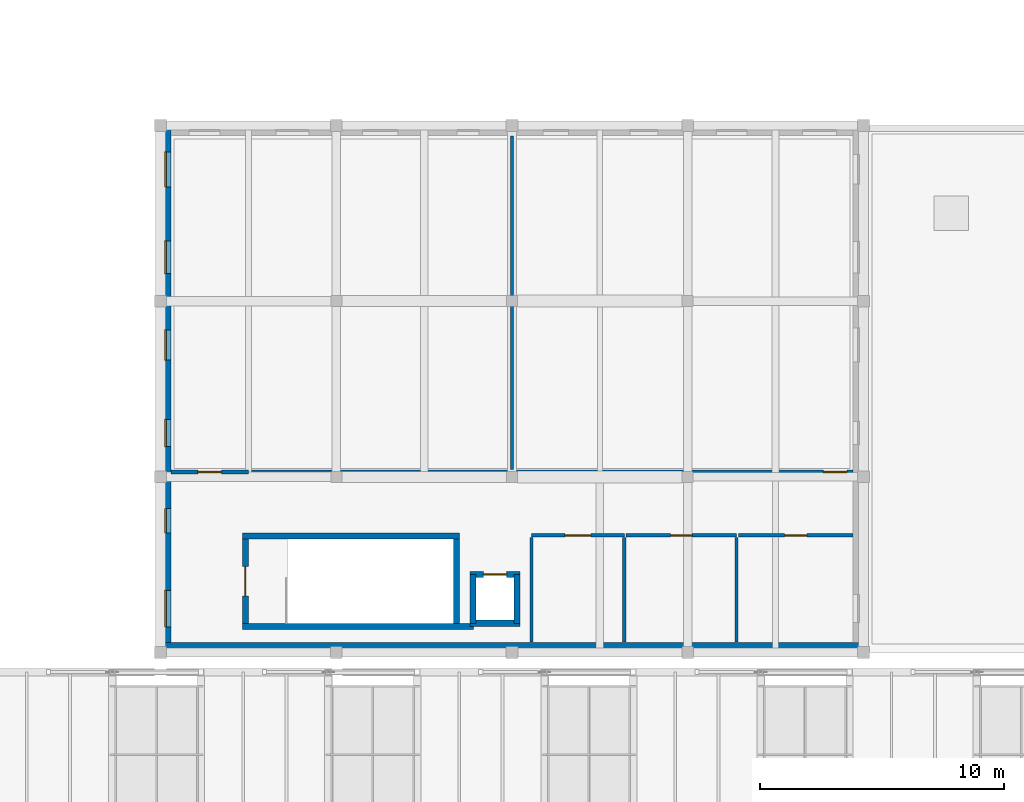
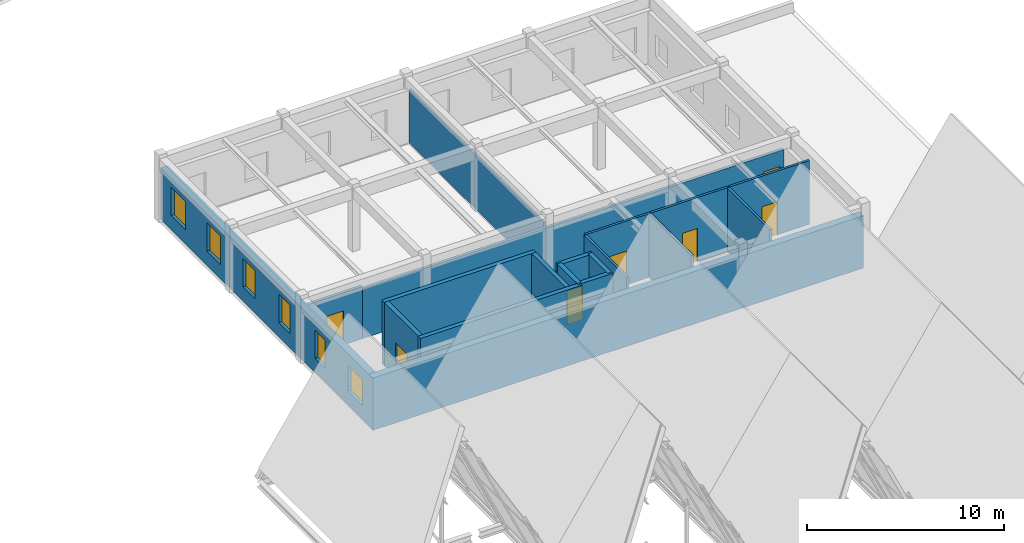
# One storey, part 88 of 99: 19 walls, 7 doors, 6 windows, 13 openings.
"""IFC4 building model written with IfcOpenShell, lengths in metres."""

import ifcopenshell
import ifcopenshell.guid

model = None  # the IFC model being written
_history = None  # IfcOwnerHistory: only IFC2X3 demands one
_inside = {}  # id of a spatial element -> (the spatial element, [elements in it])
_under = {}  # id of a project, library or spatial element -> (it, [spatial elements below it])
_declared = {}  # id of a project -> (the project, [libraries it declares])
_typed = {}  # id of a type object -> (the type object, [elements of that type])
_made_of = {}  # id of a material, layer set ... -> (it, [elements and type objects made of it])


def new_model(schema):
    """Start an empty IFC model of exactly this schema.

    Asked for "IFC4X3", IfcOpenShell would pick the latest addendum, in which some entities
    have other attributes; the version numbers below select the first issue.
    IFC2X3 requires an IfcOwnerHistory on every rooted entity: one is made here for all.
    """
    global model, _history
    if schema == "IFC4X3":
        model = ifcopenshell.file(schema_version=(4, 3, 0, 0))
    else:
        model = ifcopenshell.file(schema=schema)
    _inside.clear()
    _under.clear()
    _declared.clear()
    _typed.clear()
    _made_of.clear()
    _history = None
    if model.schema == "IFC2X3":
        org = make("IfcOrganization", Name="unknown")
        user = make(
            "IfcPersonAndOrganization",
            ThePerson=make("IfcPerson", FamilyName="unknown"),
            TheOrganization=org,
        )
        app = make(
            "IfcApplication",
            ApplicationDeveloper=org,
            Version="unknown",
            ApplicationFullName="unknown",
            ApplicationIdentifier="unknown",
        )
        _history = make(
            "IfcOwnerHistory",
            OwningUser=user,
            OwningApplication=app,
            ChangeAction="ADDED",
            CreationDate=0,
        )
    return model


def make(cls, **values):
    """One entity of the class cls with the attributes given. An attribute that is None is left unset."""
    return model.create_entity(
        cls, **{name: value for name, value in values.items() if value is not None}
    )


def rooted(cls, **values):
    """An entity with a GlobalId (a new one), such as an element, a storey or a relation."""
    return make(cls, GlobalId=ifcopenshell.guid.new(), OwnerHistory=_history, **values)


def si_unit(unit_type, name, prefix=None):
    """IfcSIUnit, for example si_unit("LENGTHUNIT", "METRE", prefix="MILLI")."""
    return make("IfcSIUnit", UnitType=unit_type, Prefix=prefix, Name=name)


def assignment(units):
    """IfcUnitAssignment: the units of a project."""
    return None if units is None else make("IfcUnitAssignment", Units=units)


def point(xyz):
    """IfcCartesianPoint."""
    return None if xyz is None else make("IfcCartesianPoint", Coordinates=xyz)


def direction(xyz):
    """IfcDirection."""
    return None if xyz is None else make("IfcDirection", DirectionRatios=xyz)


def frame(location, z_axis=None, x_axis=None):
    """IfcAxis2Placement3D, a coordinate frame: its origin and axes. An axis left out is left unset."""
    return make(
        "IfcAxis2Placement3D",
        Location=point(location),
        Axis=direction(z_axis),
        RefDirection=direction(x_axis),
    )


def frame_2d(location, x_axis=None):
    """IfcAxis2Placement2D, a coordinate frame in the plane: its origin and x axis."""
    return make(
        "IfcAxis2Placement2D", Location=point(location), RefDirection=direction(x_axis)
    )


def origin():
    """The frame at (0, 0, 0) with its axes left unset."""
    return frame((0.0, 0.0, 0.0))


def place(relative_to, where):
    """IfcLocalPlacement: puts the frame where relative to a parent placement (None: the world)."""
    return make(
        "IfcLocalPlacement", PlacementRelTo=relative_to, RelativePlacement=where
    )


def context(
    kind, dimensions, precision=None, world=None, true_north=None, identifier=None
):
    """IfcGeometricRepresentationContext, for example the 3D "Model" context."""
    return make(
        "IfcGeometricRepresentationContext",
        ContextIdentifier=identifier,
        ContextType=kind,
        CoordinateSpaceDimension=dimensions,
        Precision=precision,
        WorldCoordinateSystem=world,
        TrueNorth=true_north,
    )


def subcontext(parent, identifier, kind, view, scale=None):
    """IfcGeometricRepresentationSubContext, for example "Body" below "Model"."""
    return make(
        "IfcGeometricRepresentationSubContext",
        ContextIdentifier=identifier,
        ContextType=kind,
        ParentContext=parent,
        TargetScale=scale,
        TargetView=view,
    )


def project(units=None, contexts=None):
    """IfcProject with its units and contexts."""
    return rooted(
        "IfcProject",
        Name="project",
        RepresentationContexts=contexts,
        UnitsInContext=assignment(units),
    )


def spatial(cls, under=None, at=None, **own):
    """A site, building, storey or space (cls), placed at a placement, below another one or the project."""
    s = rooted(cls, ObjectPlacement=at, **own)
    if under is not None:
        _under.setdefault(under.id(), (under, []))[1].append(s)
    return s


def profile(cls, at=None, kind="AREA", **sizes):
    """A parametric profile (cls). Its sizes go by their IFC names, for example OverallWidth=200.0."""
    return make(cls, ProfileType=kind, Position=at, **sizes)


def rectangle(**sizes):
    """IfcRectangleProfileDef."""
    return profile("IfcRectangleProfileDef", **sizes)


def extrude(swept, where, along, depth):
    """IfcExtrudedAreaSolid: the profile swept, set in the frame where, extruded along a direction by depth."""
    return make(
        "IfcExtrudedAreaSolid",
        SweptArea=swept,
        Position=where,
        ExtrudedDirection=direction(along),
        Depth=depth,
    )


def shape(context_of_items, identifier, shape_type, items):
    """IfcShapeRepresentation: the items that make up one representation, for example the "Body"."""
    return make(
        "IfcShapeRepresentation",
        ContextOfItems=context_of_items,
        RepresentationIdentifier=identifier,
        RepresentationType=shape_type,
        Items=items,
    )


def material(Name=None, Category=None):
    """IfcMaterial."""
    return make("IfcMaterial", Name=Name, Category=Category)


def layer(
    of_material, thickness, ventilated=None, Name=None, Category=None, Priority=None
):
    """IfcMaterialLayer: one layer of a wall or slab, of a material (None: an air gap)."""
    return make(
        "IfcMaterialLayer",
        Material=of_material,
        LayerThickness=thickness,
        IsVentilated=ventilated,
        Name=Name,
        Category=Category,
        Priority=Priority,
    )


def layer_set(layers, Name=None):
    """IfcMaterialLayerSet."""
    return make("IfcMaterialLayerSet", MaterialLayers=layers, LayerSetName=Name)


def made_of(thing, what):
    """Note that an element or type object is made of a material, layer set ...; save() writes the relation."""
    if what is not None:
        _made_of.setdefault(what.id(), (what, []))[1].append(thing)
    return thing


def type_object(cls, material=None, **own):
    """A type object (cls), such as IfcWallType, which elements share."""
    return made_of(rooted(cls, **own), material)


def element(
    cls,
    number,
    at=None,
    inside=None,
    cuts=None,
    type_object=None,
    material=None,
    context=None,
    identifier="Body",
    shape_type=None,
    held_by="IfcProductDefinitionShape",
    body=None,
    shapes=None,
    **own,
):
    """One element of the class cls, such as IfcWall. Its Tag is "e" and its number.

    at: its placement. inside: the storey or other place that contains it. cuts: it is an
    opening in that element (IfcRelVoidsElement). A single representation is given by context,
    identifier, shape_type and body (its items); several are given by shapes. held_by: the class
    of the entity that holds the representations. save() writes the other relations.
    """
    e = rooted(cls, Tag="e%d" % number, ObjectPlacement=at, **own)
    if body is not None:
        shapes = [shape(context, identifier, shape_type, body)]
    if shapes is not None:
        e.Representation = make(held_by, Representations=shapes)
    if inside is not None:
        _inside.setdefault(inside.id(), (inside, []))[1].append(e)
    if cuts is not None:
        rooted(
            "IfcRelVoidsElement", RelatingBuildingElement=cuts, RelatedOpeningElement=e
        )
    if type_object is not None:
        _typed.setdefault(type_object.id(), (type_object, []))[1].append(e)
    return made_of(e, material)


def fill(opening, filler):
    """IfcRelFillsElement: the door or window that sits in an opening."""
    return rooted(
        "IfcRelFillsElement",
        RelatingOpeningElement=opening,
        RelatedBuildingElement=filler,
    )


def aggregate(whole, parts):
    """IfcRelAggregates: a whole, such as a stair, and the parts it consists of."""
    return rooted("IfcRelAggregates", RelatingObject=whole, RelatedObjects=parts)


def save(model, path):
    """Write the relations noted so far, then the file.

    IfcRelAggregates (storeys below a building ...), IfcRelContainedInSpatialStructure (elements
    in a storey), IfcRelDefinesByType, IfcRelAssociatesMaterial and IfcRelDeclares: one each for
    every whole, place, type object, material and project.
    """
    for whole, parts in _under.values():
        aggregate(whole, parts)
    for where, things in _inside.values():
        rooted(
            "IfcRelContainedInSpatialStructure",
            RelatedElements=things,
            RelatingStructure=where,
        )
    for kind, things in _typed.values():
        rooted("IfcRelDefinesByType", RelatedObjects=things, RelatingType=kind)
    for what, things in _made_of.values():
        rooted("IfcRelAssociatesMaterial", RelatedObjects=things, RelatingMaterial=what)
    for by, libraries in _declared.values():
        rooted("IfcRelDeclares", RelatingContext=by, RelatedDefinitions=libraries)
    model.write(path)


model = new_model("IFC4")

# Units and contexts
model_context = context("Model", 3, precision=1e-05, world=origin(), true_north=direction((0.0, 1.0)))
body_context = subcontext(model_context, "Body", "Model", "MODEL_VIEW")
ifc_project = project(units=[si_unit("LENGTHUNIT", "METRE"), si_unit("AREAUNIT", "SQUARE_METRE"), si_unit("VOLUMEUNIT", "CUBIC_METRE"), si_unit("PLANEANGLEUNIT", "RADIAN"), si_unit("MASSUNIT", "GRAM", prefix="KILO")], contexts=[model_context])

# Site, building, storey
site_placement = place(None, origin())
site = spatial("IfcSite", under=ifc_project, at=site_placement, CompositionType="ELEMENT")
building_placement = place(site_placement, origin())
building = spatial("IfcBuilding", under=site, at=building_placement, Name="Bramveld Media Centre", CompositionType="ELEMENT")
storey_placement = place(building_placement, frame((0.0, 0.0, 13.800048828125)))
storey = spatial("IfcBuildingStorey", under=building, at=storey_placement, Name="L03", CompositionType="ELEMENT", Elevation=13.800048828125)

# Walls
ifc_material_1 = material(Name="Concrete C40/50 stair & lift core wall", Category="concrete")
ifc_layer_1 = layer(ifc_material_1, 0.25)
ifc_layer_set_1 = layer_set([ifc_layer_1], Name="Concrete C40/50 stair & lift core wall")
wall_type_1 = type_object("IfcWallType", Name="CWALL-SHEAR-250", PredefinedType="SHEAR", material=ifc_layer_set_1)
wall_1_placement = place(storey_placement, frame((134.550048828125, 40.27490234375, 0.0), z_axis=(0.0, 0.0, 1.0), x_axis=(1.0, 0.0, 0.0)))
element("IfcWall", 1, at=wall_1_placement, inside=storey, type_object=wall_type_1, Name="ST-08 L03 stair core shear wall S", PredefinedType="SHEAR", context=body_context, shape_type="SweptSolid", body=[
    extrude(rectangle(XDim=9.469970703125, YDim=0.25, at=frame_2d((4.73486328125, 0.0))), origin(), (0.0, 0.0, 1.0), 3.9599609375),
])
wall_2_placement = place(storey_placement, frame((143.449951171875, 43.97509765625, 0.0), z_axis=(0.0, 0.0, 1.0), x_axis=(-1.0, 0.0, 0.0)))
element("IfcWall", 2, at=wall_2_placement, inside=storey, type_object=wall_type_1, Name="ST-08 L03 stair core shear wall N", PredefinedType="SHEAR", context=body_context, shape_type="SweptSolid", body=[
    extrude(rectangle(XDim=8.89990234375, YDim=0.25, at=frame_2d((4.449951171875, 0.0))), origin(), (0.0, 0.0, 1.0), 3.9599609375),
])

# Wall, opening, door
wall_3_placement = place(storey_placement, frame((134.675048828125, 43.85009765625, 0.0), z_axis=(0.0, 0.0, 1.0), x_axis=(0.0, -1.0, 0.0)))
wall_3 = element("IfcWall", 3, at=wall_3_placement, inside=storey, type_object=wall_type_1, Name="ST-08 L03 stair core shear wall W", PredefinedType="SHEAR", context=body_context, shape_type="SweptSolid", body=[
    extrude(rectangle(XDim=3.4501953125, YDim=0.25, at=frame_2d((1.72509765625, 0.0))), origin(), (0.0, 0.0, 1.0), 3.9599609375),
])
opening_1_placement = place(wall_3_placement, frame((1.125, 0.0, 0.0)))
opening_1 = element("IfcOpeningElement", 4, at=opening_1_placement, cuts=wall_3, Name="Opening SD-08-L03", PredefinedType="OPENING", context=body_context, shape_type="SweptSolid", body=[
    extrude(rectangle(XDim=1.199951171875, YDim=2.14990234375, at=frame_2d((0.60009765625, 1.074951171875))), frame((0.0, 0.136962890625, 0.0), z_axis=(0.0, -1.0, 0.0), x_axis=(1.0, 0.0, 0.0)), (0.0, 0.0, 1.0), 0.27392578125),
])
ifc_material_2 = material(Name="Painted galvanized steel acoustic fire door with intumescent smoke seals", Category="steel")
door_type_1 = type_object("IfcDoorType", Name="DR-ST-1200", OperationType="NOTDEFINED", PredefinedType="DOOR", material=ifc_material_2)
door_1_placement = place(opening_1_placement, origin())
door_1 = element("IfcDoor", 5, at=door_1_placement, inside=storey, type_object=door_type_1, Name="ST-08 L03 pressurized stair fire door", OperationType="SINGLE_SWING_RIGHT", OverallHeight=2.14990234375, OverallWidth=1.199951171875, PredefinedType="DOOR", context=body_context, shape_type="SweptSolid", body=[
    extrude(rectangle(XDim=1.199951171875, YDim=2.14990234375, at=frame_2d((0.60009765625, 1.074951171875))), frame((0.0, 0.02490234375, 0.0), z_axis=(0.0, -1.0, 0.0), x_axis=(1.0, 0.0, 0.0)), (0.0, 0.0, 1.0), 0.050048828125),
])
fill(opening_1, door_1)

# Walls
wall_4_placement = place(storey_placement, frame((143.324951171875, 40.39990234375, 0.0), z_axis=(0.0, 0.0, 1.0), x_axis=(0.0, 1.0, 0.0)))
element("IfcWall", 6, at=wall_4_placement, inside=storey, type_object=wall_type_1, Name="ST-08 L03 stair core shear wall E", PredefinedType="SHEAR", context=body_context, shape_type="SweptSolid", body=[
    extrude(rectangle(XDim=3.4501953125, YDim=0.25, at=frame_2d((1.72509765625, 0.0))), origin(), (0.0, 0.0, 1.0), 3.9599609375),
])
wall_5_placement = place(storey_placement, frame((143.875, 40.39990234375, 0.0), z_axis=(0.0, 0.0, 1.0), x_axis=(1.0, 0.0, 0.0)))
element("IfcWall", 7, at=wall_5_placement, inside=storey, type_object=wall_type_1, Name="PL-06 L03 lift shaft wall S", PredefinedType="SHEAR", context=body_context, shape_type="SweptSolid", body=[
    extrude(rectangle(XDim=2.050048828125, YDim=0.25, at=frame_2d((1.02490234375, 0.0))), origin(), (0.0, 0.0, 1.0), 3.9599609375),
])

# Wall, opening, door
wall_6_placement = place(storey_placement, frame((145.925048828125, 42.39990234375, 0.0), z_axis=(0.0, 0.0, 1.0), x_axis=(-1.0, 0.0, 0.0)))
wall_6 = element("IfcWall", 8, at=wall_6_placement, inside=storey, type_object=wall_type_1, Name="PL-06 L03 lift shaft wall N", PredefinedType="SHEAR", context=body_context, shape_type="SweptSolid", body=[
    extrude(rectangle(XDim=2.050048828125, YDim=0.25, at=frame_2d((1.02490234375, 0.0))), origin(), (0.0, 0.0, 1.0), 3.9599609375),
])
opening_2_placement = place(wall_6_placement, frame((0.550048828125, 0.0, 0.0)))
opening_2 = element("IfcOpeningElement", 9, at=opening_2_placement, cuts=wall_6, Name="Opening LD-03-06-L03", PredefinedType="OPENING", context=body_context, shape_type="SweptSolid", body=[
    extrude(rectangle(XDim=0.949951171875, YDim=2.10009765625, at=frame_2d((0.47509765625, 1.050048828125))), frame((0.0, 0.136962890625, 0.0), z_axis=(0.0, -1.0, 0.0), x_axis=(1.0, 0.0, 0.0)), (0.0, 0.0, 1.0), 0.27392578125),
])
ifc_material_3 = material(Name="Brushed stainless steel automatic fire-rated sliding lift landing door", Category="steel")
door_type_2 = type_object("IfcDoorType", Name="LD-TYPE-03", OperationType="SLIDING_TO_LEFT", PredefinedType="DOOR", material=ifc_material_3)
door_2_placement = place(opening_2_placement, origin())
door_2 = element("IfcDoor", 10, at=door_2_placement, inside=storey, type_object=door_type_2, Name="PL-06 L03 sliding lift landing door", OperationType="SLIDING_TO_LEFT", OverallHeight=2.10009765625, OverallWidth=0.949951171875, PredefinedType="DOOR", context=body_context, shape_type="SweptSolid", body=[
    extrude(rectangle(XDim=0.949951171875, YDim=2.10009765625, at=frame_2d((0.47509765625, 1.050048828125))), frame((0.0, 0.02490234375, 0.0), z_axis=(0.0, -1.0, 0.0), x_axis=(1.0, 0.0, 0.0)), (0.0, 0.0, 1.0), 0.050048828125),
])
fill(opening_2, door_2)

# Walls
for number, where, z_axis, x_axis, name in (
    (11, (144.0, 42.39990234375, 0.0), (0.0, 0.0, 1.0), (0.0, -1.0, 0.0), "PL-06 L03 lift shaft wall W"),
    (12, (145.800048828125, 40.39990234375, 0.0), (0.0, 0.0, 1.0), (0.0, 1.0, 0.0), "PL-06 L03 lift shaft wall E"),
):
    element("IfcWall", number, at=place(storey_placement, frame(where, z_axis=z_axis, x_axis=x_axis)), inside=storey, type_object=wall_type_1, Name=name, PredefinedType="SHEAR", context=body_context, shape_type="SweptSolid", body=[
        extrude(rectangle(XDim=2.0, YDim=0.25, at=frame_2d((1.0, 0.0))), origin(), (0.0, 0.0, 1.0), 3.9599609375),
    ])
ifc_material_4 = material(Name="Flemish red-brown clay facing brick cavity wall with concrete C35/45 inner leaf", Category="masonry")
ifc_layer_2 = layer(ifc_material_4, 0.419921875)
ifc_layer_set_2 = layer_set([ifc_layer_2], Name="Flemish red-brown clay facing brick cavity wall with concrete C35/45 inner leaf")
wall_type_2 = type_object("IfcWallType", Name="EW-BRK-420", PredefinedType="SOLIDWALL", material=ifc_layer_set_2)
wall_7_placement = place(storey_placement, frame((160.0, 39.409912109375, 0.0), z_axis=(0.0, 0.0, 1.0), x_axis=(-1.0, 0.0, 0.0)))
element("IfcWall", 13, at=wall_7_placement, inside=storey, type_object=wall_type_2, Name="V4 L03 S facing brick exterior wall", PredefinedType="SOLIDWALL", context=body_context, shape_type="SweptSolid", body=[
    extrude(rectangle(XDim=28.800048828125, YDim=0.419921875, at=frame_2d((14.39990234375, 0.0))), origin(), (0.0, 0.0, 1.0), 3.2548828125),
])

# Wall, openings, windows
wall_8_placement = place(storey_placement, frame((131.409912109375, 39.199951171875, 0.0), z_axis=(0.0, 0.0, 1.0), x_axis=(0.0, 1.0, 0.0)))
wall_8 = element("IfcWall", 14, at=wall_8_placement, inside=storey, type_object=wall_type_2, Name="V4 L03 W facing brick exterior wall", PredefinedType="SOLIDWALL", context=body_context, shape_type="SweptSolid", body=[
    extrude(rectangle(XDim=21.60009765625, YDim=0.419921875, at=frame_2d((10.800048828125, 0.0))), origin(), (0.0, 0.0, 1.0), 3.21484375),
])
opening_3_placement = place(wall_8_placement, frame((1.050048828125, 0.0, 0.89990234375)))
opening_3 = element("IfcOpeningElement", 15, at=opening_3_placement, cuts=wall_8, Name="Opening W-18", PredefinedType="OPENING", context=body_context, shape_type="SweptSolid", body=[
    extrude(rectangle(XDim=1.5, YDim=1.60009765625, at=frame_2d((0.75, 0.800048828125))), frame((0.0, 0.221923828125, 0.0), z_axis=(0.0, -1.0, 0.0), x_axis=(1.0, 0.0, 0.0)), (0.0, 0.0, 1.0), 0.44384765625),
])
opening_4_placement = place(wall_8_placement, frame((4.89990234375, 0.0, 0.89990234375)))
opening_4 = element("IfcOpeningElement", 16, at=opening_4_placement, cuts=wall_8, Name="Opening W-19", PredefinedType="OPENING", context=body_context, shape_type="SweptSolid", body=[
    extrude(rectangle(XDim=1.0, YDim=1.75, at=frame_2d((0.5, 0.875))), frame((0.0, 0.221923828125, 0.0), z_axis=(0.0, -1.0, 0.0), x_axis=(1.0, 0.0, 0.0)), (0.0, 0.0, 1.0), 0.44384765625),
])
opening_5_placement = place(wall_8_placement, frame((8.43994140625, 0.0, 0.89990234375)))
opening_5 = element("IfcOpeningElement", 17, at=opening_5_placement, cuts=wall_8, Name="Opening W-20", PredefinedType="OPENING", context=body_context, shape_type="SweptSolid", body=[
    extrude(rectangle(XDim=1.1201171875, YDim=1.75, at=frame_2d((0.56005859375, 0.875))), frame((0.0, 0.221923828125, 0.0), z_axis=(0.0, -1.0, 0.0), x_axis=(1.0, 0.0, 0.0)), (0.0, 0.0, 1.0), 0.44384765625),
])
opening_6_placement = place(wall_8_placement, frame((11.97998046875, 0.0, 0.89990234375)))
opening_6 = element("IfcOpeningElement", 18, at=opening_6_placement, cuts=wall_8, Name="Opening W-21", PredefinedType="OPENING", context=body_context, shape_type="SweptSolid", body=[
    extrude(rectangle(XDim=1.239990234375, YDim=1.75, at=frame_2d((0.6201171875, 0.875))), frame((0.0, 0.221923828125, 0.0), z_axis=(0.0, -1.0, 0.0), x_axis=(1.0, 0.0, 0.0)), (0.0, 0.0, 1.0), 0.44384765625),
])
opening_7_placement = place(wall_8_placement, frame((15.530029296875, 0.0, 0.89990234375)))
opening_7 = element("IfcOpeningElement", 19, at=opening_7_placement, cuts=wall_8, Name="Opening W-22", PredefinedType="OPENING", context=body_context, shape_type="SweptSolid", body=[
    extrude(rectangle(XDim=1.340087890625, YDim=1.75, at=frame_2d((0.669921875, 0.875))), frame((0.0, 0.221923828125, 0.0), z_axis=(0.0, -1.0, 0.0), x_axis=(1.0, 0.0, 0.0)), (0.0, 0.0, 1.0), 0.44384765625),
])
opening_8_placement = place(wall_8_placement, frame((19.080078125, 0.0, 0.89990234375)))
opening_8 = element("IfcOpeningElement", 20, at=opening_8_placement, cuts=wall_8, Name="Opening W-23", PredefinedType="OPENING", context=body_context, shape_type="SweptSolid", body=[
    extrude(rectangle(XDim=1.43994140625, YDim=1.75, at=frame_2d((0.719970703125, 0.875))), frame((0.0, 0.221923828125, 0.0), z_axis=(0.0, -1.0, 0.0), x_axis=(1.0, 0.0, 0.0)), (0.0, 0.0, 1.0), 0.44384765625),
])
ifc_material_5 = material(Name="Thermally broken anodized bronze aluminium frame with triple acoustic glazing", Category="aluminium")
window_type_1 = type_object("IfcWindowType", Name="WIN-FAC-18", PartitioningType="SINGLE_PANEL", PredefinedType="WINDOW", material=ifc_material_5)
window_1_placement = place(opening_3_placement, origin())
window_1 = element("IfcWindow", 21, at=window_1_placement, inside=storey, type_object=window_type_1, Name="V4 L03 W acoustic facade window", OverallHeight=1.60009765625, OverallWidth=1.5, PartitioningType="SINGLE_PANEL", PredefinedType="WINDOW", context=body_context, shape_type="SweptSolid", body=[
    extrude(rectangle(XDim=1.5, YDim=1.60009765625, at=frame_2d((0.75, 0.800048828125))), frame((0.0, 0.030029296875, 0.0), z_axis=(0.0, -1.0, 0.0), x_axis=(1.0, 0.0, 0.0)), (0.0, 0.0, 1.0), 0.06005859375),
])
fill(opening_3, window_1)
ifc_material_6 = material(Name="Thermally broken anodized bronze aluminium frame with triple acoustic glazing", Category="aluminium")
window_type_2 = type_object("IfcWindowType", Name="WIN-FAC-19", PartitioningType="SINGLE_PANEL", PredefinedType="WINDOW", material=ifc_material_6)
window_2_placement = place(opening_4_placement, origin())
window_2 = element("IfcWindow", 22, at=window_2_placement, inside=storey, type_object=window_type_2, Name="V4 L03 W acoustic facade window", OverallHeight=1.75, OverallWidth=1.0, PartitioningType="SINGLE_PANEL", PredefinedType="WINDOW", context=body_context, shape_type="SweptSolid", body=[
    extrude(rectangle(XDim=1.0, YDim=1.75, at=frame_2d((0.5, 0.875))), frame((0.0, 0.030029296875, 0.0), z_axis=(0.0, -1.0, 0.0), x_axis=(1.0, 0.0, 0.0)), (0.0, 0.0, 1.0), 0.06005859375),
])
fill(opening_4, window_2)
ifc_material_7 = material(Name="Thermally broken anodized bronze aluminium frame with triple acoustic glazing", Category="aluminium")
window_type_3 = type_object("IfcWindowType", Name="WIN-FAC-20", PartitioningType="SINGLE_PANEL", PredefinedType="WINDOW", material=ifc_material_7)
window_3_placement = place(opening_5_placement, origin())
window_3 = element("IfcWindow", 23, at=window_3_placement, inside=storey, type_object=window_type_3, Name="V4 L03 W acoustic facade window", OverallHeight=1.75, OverallWidth=1.1201171875, PartitioningType="SINGLE_PANEL", PredefinedType="WINDOW", context=body_context, shape_type="SweptSolid", body=[
    extrude(rectangle(XDim=1.1201171875, YDim=1.75, at=frame_2d((0.56005859375, 0.875))), frame((0.0, 0.030029296875, 0.0), z_axis=(0.0, -1.0, 0.0), x_axis=(1.0, 0.0, 0.0)), (0.0, 0.0, 1.0), 0.06005859375),
])
fill(opening_5, window_3)
ifc_material_8 = material(Name="Thermally broken anodized bronze aluminium frame with triple acoustic glazing", Category="aluminium")
window_type_4 = type_object("IfcWindowType", Name="WIN-FAC-21", PartitioningType="SINGLE_PANEL", PredefinedType="WINDOW", material=ifc_material_8)
window_4_placement = place(opening_6_placement, origin())
window_4 = element("IfcWindow", 24, at=window_4_placement, inside=storey, type_object=window_type_4, Name="V4 L03 W acoustic facade window", OverallHeight=1.75, OverallWidth=1.239990234375, PartitioningType="SINGLE_PANEL", PredefinedType="WINDOW", context=body_context, shape_type="SweptSolid", body=[
    extrude(rectangle(XDim=1.239990234375, YDim=1.75, at=frame_2d((0.6201171875, 0.875))), frame((0.0, 0.030029296875, 0.0), z_axis=(0.0, -1.0, 0.0), x_axis=(1.0, 0.0, 0.0)), (0.0, 0.0, 1.0), 0.06005859375),
])
fill(opening_6, window_4)
ifc_material_9 = material(Name="Thermally broken anodized bronze aluminium frame with triple acoustic glazing", Category="aluminium")
window_type_5 = type_object("IfcWindowType", Name="WIN-FAC-22", PartitioningType="SINGLE_PANEL", PredefinedType="WINDOW", material=ifc_material_9)
window_5_placement = place(opening_7_placement, origin())
window_5 = element("IfcWindow", 25, at=window_5_placement, inside=storey, type_object=window_type_5, Name="V4 L03 W acoustic facade window", OverallHeight=1.75, OverallWidth=1.340087890625, PartitioningType="SINGLE_PANEL", PredefinedType="WINDOW", context=body_context, shape_type="SweptSolid", body=[
    extrude(rectangle(XDim=1.340087890625, YDim=1.75, at=frame_2d((0.669921875, 0.875))), frame((0.0, 0.030029296875, 0.0), z_axis=(0.0, -1.0, 0.0), x_axis=(1.0, 0.0, 0.0)), (0.0, 0.0, 1.0), 0.06005859375),
])
fill(opening_7, window_5)
ifc_material_10 = material(Name="Thermally broken anodized bronze aluminium frame with triple acoustic glazing", Category="aluminium")
window_type_6 = type_object("IfcWindowType", Name="WIN-FAC-23", PartitioningType="SINGLE_PANEL", PredefinedType="WINDOW", material=ifc_material_10)
window_6_placement = place(opening_8_placement, origin())
window_6 = element("IfcWindow", 26, at=window_6_placement, inside=storey, type_object=window_type_6, Name="V4 L03 W acoustic facade window", OverallHeight=1.75, OverallWidth=1.43994140625, PartitioningType="SINGLE_PANEL", PredefinedType="WINDOW", context=body_context, shape_type="SweptSolid", body=[
    extrude(rectangle(XDim=1.43994140625, YDim=1.75, at=frame_2d((0.719970703125, 0.875))), frame((0.0, 0.030029296875, 0.0), z_axis=(0.0, -1.0, 0.0), x_axis=(1.0, 0.0, 0.0)), (0.0, 0.0, 1.0), 0.06005859375),
])
fill(opening_8, window_6)

# Wall, opening, door
ifc_material_11 = material(Name="Fire-rated twin-frame gypsum corridor wall", Category="gypsum")
ifc_layer_3 = layer(ifc_material_11, 0.179931640625)
ifc_layer_set_3 = layer_set([ifc_layer_3], Name="Fire-rated twin-frame gypsum corridor wall")
wall_type_3 = type_object("IfcWallType", Name="IW-FIRE-180", PredefinedType="PARTITIONING", material=ifc_layer_set_3)
wall_9_placement = place(storey_placement, frame((131.6298828125, 46.60009765625, 0.0), z_axis=(0.0, 0.0, 1.0), x_axis=(1.0, 0.0, 0.0)))
wall_9 = element("IfcWall", 27, at=wall_9_placement, inside=storey, type_object=wall_type_3, Name="Stair ST-08 L03 Landing Lobby partition wall", PredefinedType="PARTITIONING", context=body_context, shape_type="SweptSolid", body=[
    extrude(rectangle(XDim=3.170166015625, YDim=0.179931640625, at=frame_2d((1.5849609375, 0.0))), origin(), (0.0, 0.0, 1.0), 3.23486328125),
])
opening_9_placement = place(wall_9_placement, frame((1.094970703125, 0.0, 0.0)))
opening_9 = element("IfcOpeningElement", 28, at=opening_9_placement, cuts=wall_9, Name="Opening D-03-145", PredefinedType="OPENING", context=body_context, shape_type="SweptSolid", body=[
    extrude(rectangle(XDim=0.97998046875, YDim=2.1201171875, at=frame_2d((0.489990234375, 1.06005859375))), frame((0.0, 0.10205078125, 0.0), z_axis=(0.0, -1.0, 0.0), x_axis=(1.0, 0.0, 0.0)), (0.0, 0.0, 1.0), 0.203857421875),
])
ifc_material_12 = material(Name="Solid-core European oak acoustic timber leaf in steel frame", Category="steel")
door_type_3 = type_object("IfcDoorType", Name="DR-RM-0980", OperationType="NOTDEFINED", PredefinedType="DOOR", material=ifc_material_12)
door_3_placement = place(opening_9_placement, origin())
door_3 = element("IfcDoor", 29, at=door_3_placement, inside=storey, type_object=door_type_3, Name="Artist-in-Residence Editing Studio A entrance door", OperationType="SINGLE_SWING_LEFT", OverallHeight=2.1201171875, OverallWidth=0.97998046875, PredefinedType="DOOR", context=body_context, shape_type="SweptSolid", body=[
    extrude(rectangle(XDim=0.97998046875, YDim=2.1201171875, at=frame_2d((0.489990234375, 1.06005859375))), frame((0.0, 0.02490234375, 0.0), z_axis=(0.0, -1.0, 0.0), x_axis=(1.0, 0.0, 0.0)), (0.0, 0.0, 1.0), 0.050048828125),
])
fill(opening_9, door_3)

wall_10_placement = place(storey_placement, frame((134.800048828125, 46.60009765625, 0.0), z_axis=(0.0, 0.0, 1.0), x_axis=(1.0, 0.0, 0.0)))
wall_10 = element("IfcWall", 30, at=wall_10_placement, inside=storey, type_object=wall_type_3, Name="Residency Studios Corridor partition wall", PredefinedType="PARTITIONING", context=body_context, shape_type="SweptSolid", body=[
    extrude(rectangle(XDim=24.77001953125, YDim=0.179931640625, at=frame_2d((12.385009765625, 0.0))), origin(), (0.0, 0.0, 1.0), 3.0849609375),
])
opening_10_placement = place(wall_10_placement, frame((23.56005859375, 0.0, 0.0)))
opening_10 = element("IfcOpeningElement", 31, at=opening_10_placement, cuts=wall_10, Name="Opening D-03-146", PredefinedType="OPENING", context=body_context, shape_type="SweptSolid", body=[
    extrude(rectangle(XDim=0.9599609375, YDim=2.10009765625, at=frame_2d((0.47998046875, 1.050048828125))), frame((0.0, 0.10205078125, 0.0), z_axis=(0.0, -1.0, 0.0), x_axis=(1.0, 0.0, 0.0)), (0.0, 0.0, 1.0), 0.203857421875),
])
ifc_material_13 = material(Name="Solid-core European oak acoustic timber leaf in steel frame", Category="steel")
door_type_4 = type_object("IfcDoorType", Name="DR-RM-0960", OperationType="NOTDEFINED", PredefinedType="DOOR", material=ifc_material_13)
door_4_placement = place(opening_10_placement, origin())
door_4 = element("IfcDoor", 32, at=door_4_placement, inside=storey, type_object=door_type_4, Name="Documentary Production Studio B entrance door", OperationType="SINGLE_SWING_RIGHT", OverallHeight=2.10009765625, OverallWidth=0.9599609375, PredefinedType="DOOR", context=body_context, shape_type="SweptSolid", body=[
    extrude(rectangle(XDim=0.9599609375, YDim=2.10009765625, at=frame_2d((0.47998046875, 1.050048828125))), frame((0.0, 0.02490234375, 0.0), z_axis=(0.0, -1.0, 0.0), x_axis=(1.0, 0.0, 0.0)), (0.0, 0.0, 1.0), 0.050048828125),
])
fill(opening_10, door_4)

# Wall
ifc_material_14 = material(Name="Lightweight acoustic stud partition", Category="gypsum")
ifc_layer_4 = layer(ifc_material_14, 0.125)
ifc_layer_set_4 = layer_set([ifc_layer_4], Name="Lightweight acoustic stud partition")
wall_type_4 = type_object("IfcWallType", Name="IW-PART-125", PredefinedType="PARTITIONING", material=ifc_layer_set_4)
wall_11_placement = place(storey_placement, frame((145.60009765625, 46.699951171875, 0.0), z_axis=(0.0, 0.0, 1.0), x_axis=(0.0, 1.0, 0.0)))
element("IfcWall", 33, at=wall_11_placement, inside=storey, type_object=wall_type_4, Name="Artist-in-Residence Editing Studio A partition wall", PredefinedType="PARTITIONING", context=body_context, shape_type="SweptSolid", body=[
    extrude(rectangle(XDim=13.670166015625, YDim=0.125, at=frame_2d((6.8349609375, 0.0))), origin(), (0.0, 0.0, 1.0), 3.3349609375),
])

# Wall, opening, door
ifc_material_15 = material(Name="Moisture-resistant cement-board sanitary partition", Category="gypsum")
ifc_layer_5 = layer(ifc_material_15, 0.139892578125)
ifc_layer_set_5 = layer_set([ifc_layer_5], Name="Moisture-resistant cement-board sanitary partition")
wall_type_5 = type_object("IfcWallType", Name="IW-WET-140", PredefinedType="PARTITIONING", material=ifc_layer_set_5)
wall_12_placement = place(storey_placement, frame((146.39990234375, 44.0, 0.0), z_axis=(0.0, 0.0, 1.0), x_axis=(1.0, 0.0, 0.0)))
wall_12 = element("IfcWall", 34, at=wall_12_placement, inside=storey, type_object=wall_type_5, Name="Accessible WC partition wall", PredefinedType="PARTITIONING", context=body_context, shape_type="SweptSolid", body=[
    extrude(rectangle(XDim=3.800048828125, YDim=0.139892578125, at=frame_2d((1.89990234375, 0.0))), origin(), (0.0, 0.0, 1.0), 3.9599609375),
])
opening_11_placement = place(wall_12_placement, frame((1.3701171875, 0.0, 0.0)))
opening_11 = element("IfcOpeningElement", 35, at=opening_11_placement, cuts=wall_12, Name="Opening D-03-147", PredefinedType="OPENING", context=body_context, shape_type="SweptSolid", body=[
    extrude(rectangle(XDim=1.06005859375, YDim=2.10009765625, at=frame_2d((0.530029296875, 1.050048828125))), frame((0.0, 0.08203125, 0.0), z_axis=(0.0, -1.0, 0.0), x_axis=(1.0, 0.0, 0.0)), (0.0, 0.0, 1.0), 0.163818359375),
])
ifc_material_16 = material(Name="Solid-core European oak acoustic timber leaf in steel frame", Category="steel")
door_type_5 = type_object("IfcDoorType", Name="DR-WC-PMR-1060", OperationType="NOTDEFINED", PredefinedType="DOOR", material=ifc_material_16)
door_5_placement = place(opening_11_placement, origin())
door_5 = element("IfcDoor", 36, at=door_5_placement, inside=storey, type_object=door_type_5, Name="Accessible WC entrance door", OperationType="SINGLE_SWING_LEFT", OverallHeight=2.10009765625, OverallWidth=1.06005859375, PredefinedType="DOOR", context=body_context, shape_type="SweptSolid", body=[
    extrude(rectangle(XDim=1.06005859375, YDim=2.10009765625, at=frame_2d((0.530029296875, 1.050048828125))), frame((0.0, 0.02490234375, 0.0), z_axis=(0.0, -1.0, 0.0), x_axis=(1.0, 0.0, 0.0)), (0.0, 0.0, 1.0), 0.050048828125),
])
fill(opening_11, door_5)

# Walls
for number, where, z_axis, x_axis, name in (
    (37, (146.39990234375, 39.6298828125, 0.0), (0.0, 0.0, 1.0), (0.0, 1.0, 0.0), "Accessible WC partition wall"),
    (38, (150.199951171875, 39.6298828125, 0.0), (0.0, 0.0, 1.0), (0.0, 1.0, 0.0), "Accessible WC partition wall"),
):
    element("IfcWall", number, at=place(storey_placement, frame(where, z_axis=z_axis, x_axis=x_axis)), inside=storey, type_object=wall_type_5, Name=name, PredefinedType="PARTITIONING", context=body_context, shape_type="SweptSolid", body=[
        extrude(rectangle(XDim=4.2900390625, YDim=0.139892578125, at=frame_2d((2.14501953125, 0.0))), origin(), (0.0, 0.0, 1.0), 3.9599609375),
    ])

# Wall, opening, door
wall_13_placement = place(storey_placement, frame((150.280029296875, 44.0, 0.0), z_axis=(0.0, 0.0, 1.0), x_axis=(1.0, 0.0, 0.0)))
wall_13 = element("IfcWall", 39, at=wall_13_placement, inside=storey, type_object=wall_type_5, Name="Male WC partition wall", PredefinedType="PARTITIONING", context=body_context, shape_type="SweptSolid", body=[
    extrude(rectangle(XDim=4.52001953125, YDim=0.139892578125, at=frame_2d((2.260009765625, 0.0))), origin(), (0.0, 0.0, 1.0), 3.9599609375),
])
opening_12_placement = place(wall_13_placement, frame((1.81494140625, 0.0, 0.0)))
opening_12 = element("IfcOpeningElement", 40, at=opening_12_placement, cuts=wall_13, Name="Opening D-03-148", PredefinedType="OPENING", context=body_context, shape_type="SweptSolid", body=[
    extrude(rectangle(XDim=0.889892578125, YDim=2.050048828125, at=frame_2d((0.44482421875, 1.02490234375))), frame((0.0, 0.08203125, 0.0), z_axis=(0.0, -1.0, 0.0), x_axis=(1.0, 0.0, 0.0)), (0.0, 0.0, 1.0), 0.163818359375),
])
ifc_material_17 = material(Name="Solid-core European oak acoustic timber leaf in steel frame", Category="steel")
door_type_6 = type_object("IfcDoorType", Name="DR-WC-0890", OperationType="NOTDEFINED", PredefinedType="DOOR", material=ifc_material_17)
door_6_placement = place(opening_12_placement, origin())
door_6 = element("IfcDoor", 41, at=door_6_placement, inside=storey, type_object=door_type_6, Name="Male WC entrance door", OperationType="SINGLE_SWING_RIGHT", OverallHeight=2.050048828125, OverallWidth=0.889892578125, PredefinedType="DOOR", context=body_context, shape_type="SweptSolid", body=[
    extrude(rectangle(XDim=0.889892578125, YDim=2.050048828125, at=frame_2d((0.44482421875, 1.02490234375))), frame((0.0, 0.02490234375, 0.0), z_axis=(0.0, -1.0, 0.0), x_axis=(1.0, 0.0, 0.0)), (0.0, 0.0, 1.0), 0.050048828125),
])
fill(opening_12, door_6)

# Wall
wall_14_placement = place(storey_placement, frame((154.800048828125, 39.6298828125, 0.0), z_axis=(0.0, 0.0, 1.0), x_axis=(0.0, 1.0, 0.0)))
element("IfcWall", 42, at=wall_14_placement, inside=storey, type_object=wall_type_5, Name="Male WC partition wall", PredefinedType="PARTITIONING", context=body_context, shape_type="SweptSolid", body=[
    extrude(rectangle(XDim=4.2900390625, YDim=0.139892578125, at=frame_2d((2.14501953125, 0.0))), origin(), (0.0, 0.0, 1.0), 3.9599609375),
])

# Wall, opening, door
wall_15_placement = place(storey_placement, frame((154.8798828125, 44.0, 0.0), z_axis=(0.0, 0.0, 1.0), x_axis=(1.0, 0.0, 0.0)))
wall_15 = element("IfcWall", 43, at=wall_15_placement, inside=storey, type_object=wall_type_5, Name="Female WC partition wall", PredefinedType="PARTITIONING", context=body_context, shape_type="SweptSolid", body=[
    extrude(rectangle(XDim=4.690185546875, YDim=0.139892578125, at=frame_2d((2.34521484375, 0.0))), origin(), (0.0, 0.0, 1.0), 3.9599609375),
])
opening_13_placement = place(wall_15_placement, frame((1.889892578125, 0.0, 0.0)))
opening_13 = element("IfcOpeningElement", 44, at=opening_13_placement, cuts=wall_15, Name="Opening D-03-149", PredefinedType="OPENING", context=body_context, shape_type="SweptSolid", body=[
    extrude(rectangle(XDim=0.909912109375, YDim=2.06005859375, at=frame_2d((0.455078125, 1.030029296875))), frame((0.0, 0.08203125, 0.0), z_axis=(0.0, -1.0, 0.0), x_axis=(1.0, 0.0, 0.0)), (0.0, 0.0, 1.0), 0.163818359375),
])
ifc_material_18 = material(Name="Solid-core European oak acoustic timber leaf in steel frame", Category="steel")
door_type_7 = type_object("IfcDoorType", Name="DR-WC-0910", OperationType="NOTDEFINED", PredefinedType="DOOR", material=ifc_material_18)
door_7_placement = place(opening_13_placement, origin())
door_7 = element("IfcDoor", 45, at=door_7_placement, inside=storey, type_object=door_type_7, Name="Female WC entrance door", OperationType="SINGLE_SWING_LEFT", OverallHeight=2.06005859375, OverallWidth=0.909912109375, PredefinedType="DOOR", context=body_context, shape_type="SweptSolid", body=[
    extrude(rectangle(XDim=0.909912109375, YDim=2.06005859375, at=frame_2d((0.455078125, 1.030029296875))), frame((0.0, 0.02490234375, 0.0), z_axis=(0.0, -1.0, 0.0), x_axis=(1.0, 0.0, 0.0)), (0.0, 0.0, 1.0), 0.050048828125),
])
fill(opening_13, door_7)

save(model, "model.ifc")
